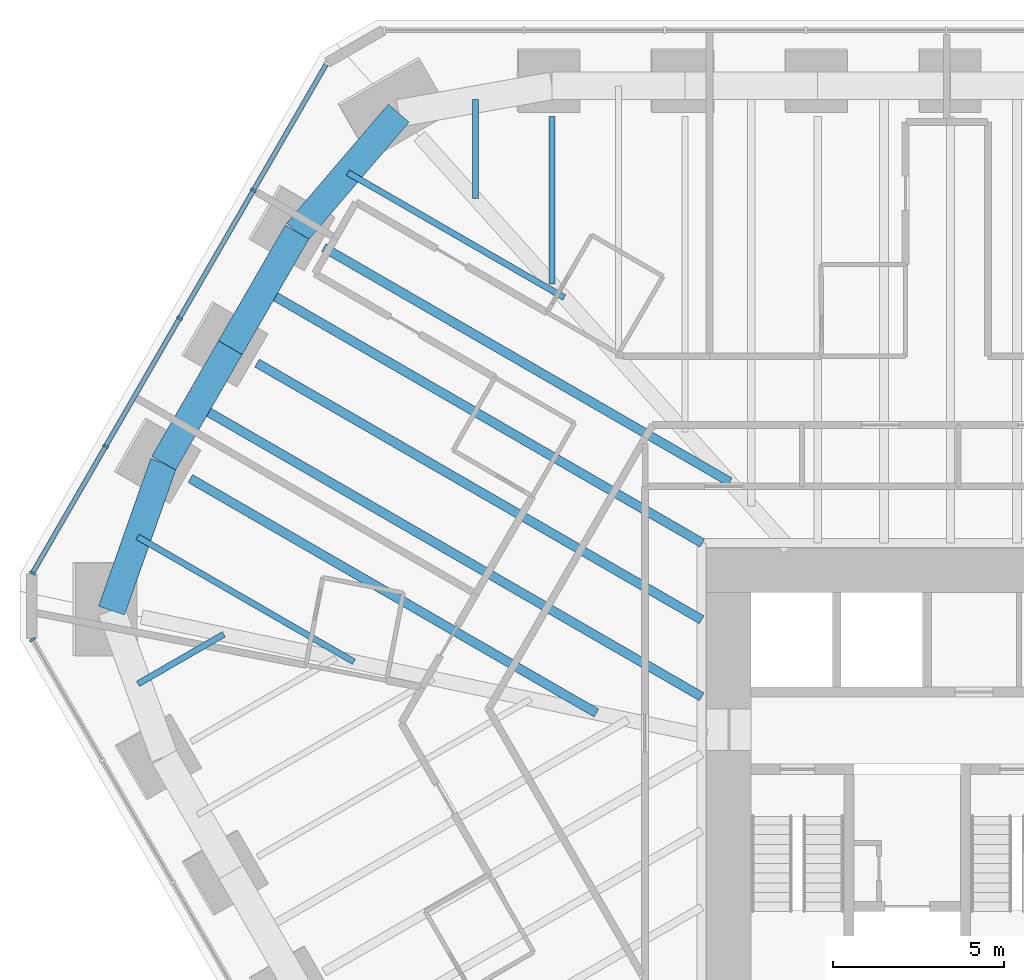
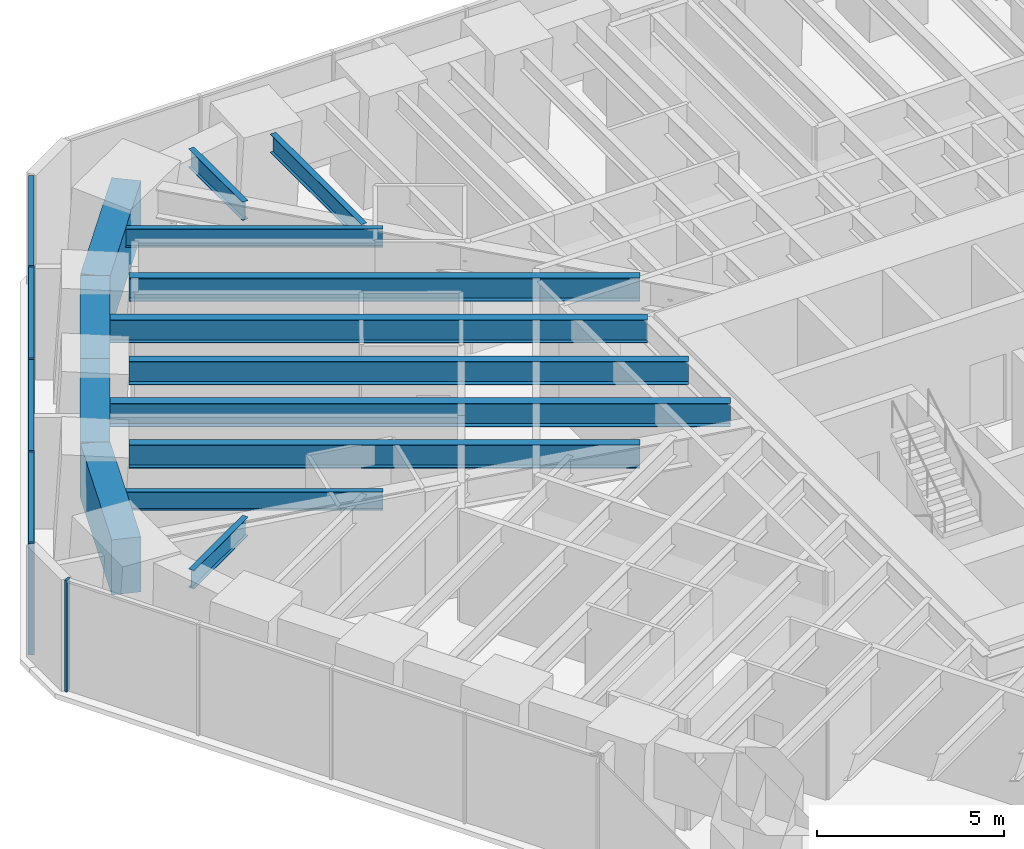
# One storey, part 7 of 18: 14 beams, 9 members, 2 elements without a shape of their own.
"""IFC4 building model written with IfcOpenShell, lengths in metres."""

from ifc_helpers import new_model, si_unit, direction, frame, origin, origin_2d, place, context, subcontext, project, spatial, rectangle, i_section, extrude, material, material_profile, profile_set, type_object, element, aggregate, save


model = new_model("IFC4")

# Units and contexts
model_context = context("Model", 3, precision=1e-05, world=origin(), true_north=direction((0.0, 1.0)))
body_context = subcontext(model_context, "Body", "Model", "MODEL_VIEW")
ifc_project = project(units=[si_unit("LENGTHUNIT", "METRE"), si_unit("AREAUNIT", "SQUARE_METRE"), si_unit("VOLUMEUNIT", "CUBIC_METRE"), si_unit("PLANEANGLEUNIT", "RADIAN"), si_unit("MASSUNIT", "GRAM", prefix="KILO")], contexts=[model_context])

# Site, building, storey
site_placement = place(None, origin())
site = spatial("IfcSite", under=ifc_project, at=site_placement, CompositionType="ELEMENT")
building_placement = place(site_placement, origin())
building = spatial("IfcBuilding", under=site, at=building_placement, Name="Sandreach Pilgrim Tower", CompositionType="ELEMENT")
storey_placement = place(building_placement, frame((0.0, 0.0, 153.800048828125)))
storey = spatial("IfcBuildingStorey", under=building, at=storey_placement, Name="L38", CompositionType="ELEMENT", Elevation=153.800048828125)

# Curtain wall, member
ifc_material_1 = material(Name="Aluminium framed curtain wall", Category="aluminium")
curtain_wall_type = type_object("IfcCurtainWallType", Name="Hotel tower curtain wall", PredefinedType="NOTDEFINED", material=ifc_material_1)
curtain_wall_1_placement = place(storey_placement, origin())
curtain_wall_1 = element("IfcCurtainWall", 1, at=curtain_wall_1_placement, inside=storey, type_object=curtain_wall_type, Name="CW-2 L38 SW", PredefinedType="NOTDEFINED")
ifc_material_2 = material(Name="Aluminium extrusion", Category="aluminium")
ifc_material_profile_1 = material_profile(ifc_material_2, rectangle(XDim=0.06494140625, YDim=0.179931640625, at=origin_2d()), Name="CW-2M 65X180")
ifc_profile_set_1 = profile_set([ifc_material_profile_1], Name="Aluminium extrusion")
member_type_1 = type_object("IfcMemberType", Name="CW-2 mullion", PredefinedType="MULLION", material=ifc_profile_set_1)
member_1_placement = place(storey_placement, frame((-28.70458984375, 4.730224609375, 0.0), z_axis=(0.0, 0.0, 1.0), x_axis=(-0.5, 0.866025403784, 0.0)))
member_1 = element("IfcMember", 2, at=member_1_placement, type_object=member_type_1, Name="CW-2 mullion 10", PredefinedType="MULLION", context=body_context, shape_type="SweptSolid", body=[
    extrude(rectangle(XDim=0.06494140625, YDim=0.179931640625, at=origin_2d()), origin(), (0.0, 0.0, 1.0), 3.639892578125),
])
aggregate(curtain_wall_1, [member_1])

# Curtain wall, members
curtain_wall_2_placement = place(storey_placement, origin())
curtain_wall_2 = element("IfcCurtainWall", 3, at=curtain_wall_2_placement, inside=storey, type_object=curtain_wall_type, Name="CW-2 L38 NW", PredefinedType="NOTDEFINED")
member_2_placement = place(storey_placement, frame((-28.70458984375, 6.66650390625, 0.0), z_axis=(0.0, 0.0, 1.0), x_axis=(0.5, 0.866025403784, 0.0)))
member_2 = element("IfcMember", 4, at=member_2_placement, type_object=member_type_1, Name="CW-2 mullion 1", PredefinedType="MULLION", context=body_context, shape_type="SweptSolid", body=[
    extrude(rectangle(XDim=0.06494140625, YDim=0.179931640625, at=origin_2d()), origin(), (0.0, 0.0, 1.0), 3.639892578125),
])
member_3_placement = place(storey_placement, frame((-26.568115234375, 10.3671875, 0.0), z_axis=(0.0, 0.0, 1.0), x_axis=(0.5, 0.866025403784, 0.0)))
member_3 = element("IfcMember", 5, at=member_3_placement, type_object=member_type_1, Name="CW-2 mullion 2", PredefinedType="MULLION", context=body_context, shape_type="SweptSolid", body=[
    extrude(rectangle(XDim=0.06494140625, YDim=0.179931640625, at=origin_2d()), origin(), (0.0, 0.0, 1.0), 3.639892578125),
])
member_4_placement = place(storey_placement, frame((-24.415283203125, 14.09619140625, 0.0), z_axis=(0.0, 0.0, 1.0), x_axis=(0.5, 0.866025403784, 0.0)))
member_4 = element("IfcMember", 6, at=member_4_placement, type_object=member_type_1, Name="CW-2 mullion 3", PredefinedType="MULLION", context=body_context, shape_type="SweptSolid", body=[
    extrude(rectangle(XDim=0.06494140625, YDim=0.179931640625, at=origin_2d()), origin(), (0.0, 0.0, 1.0), 3.639892578125),
])
member_5_placement = place(storey_placement, frame((-22.262451171875, 17.824951171875, 0.0), z_axis=(0.0, 0.0, 1.0), x_axis=(0.5, 0.866025403784, 0.0)))
member_5 = element("IfcMember", 7, at=member_5_placement, type_object=member_type_1, Name="CW-2 mullion 4", PredefinedType="MULLION", context=body_context, shape_type="SweptSolid", body=[
    extrude(rectangle(XDim=0.06494140625, YDim=0.179931640625, at=origin_2d()), origin(), (0.0, 0.0, 1.0), 3.639892578125),
])
ifc_material_3 = material(Name="Aluminium extrusion", Category="aluminium")
ifc_material_profile_2 = material_profile(ifc_material_3, rectangle(XDim=0.139892578125, YDim=0.070068359375, at=origin_2d()), Name="CW-2T 140X70")
ifc_profile_set_2 = profile_set([ifc_material_profile_2], Name="Aluminium extrusion")
member_type_2 = type_object("IfcMemberType", Name="CW-2 transom", PredefinedType="USERDEFINED", material=ifc_profile_set_2)
member_6_placement = place(storey_placement, frame((-28.6884765625, 6.69482421875, 3.60498046875), z_axis=(0.500038835258, 0.866002981077, 0.0), x_axis=(-0.866002981077, 0.500038835258, 0.0)))
member_6 = element("IfcMember", 8, at=member_6_placement, type_object=member_type_2, Name="CW-2 head transom 1", ObjectType="TRANSOM", PredefinedType="USERDEFINED", context=body_context, shape_type="SweptSolid", body=[
    extrude(rectangle(XDim=0.139892578125, YDim=0.070068359375, at=origin_2d()), origin(), (0.0, 0.0, 1.0), 4.208251953125),
])
member_7_placement = place(storey_placement, frame((-26.5517578125, 10.3955078125, 3.60498046875), z_axis=(0.500021471012, 0.866013007135, 0.0), x_axis=(-0.866013007135, 0.500021471012, 0.0)))
member_7 = element("IfcMember", 9, at=member_7_placement, type_object=member_type_2, Name="CW-2 head transom 2", ObjectType="TRANSOM", PredefinedType="USERDEFINED", context=body_context, shape_type="SweptSolid", body=[
    extrude(rectangle(XDim=0.139892578125, YDim=0.070068359375, at=origin_2d()), origin(), (0.0, 0.0, 1.0), 4.240478515625),
])
member_8_placement = place(storey_placement, frame((-24.39892578125, 14.124267578125, 3.60498046875), z_axis=(0.499996541496, 0.866027400544, 0.0), x_axis=(-0.866027400544, 0.499996541496, 0.0)))
member_8 = element("IfcMember", 10, at=member_8_placement, type_object=member_type_2, Name="CW-2 head transom 3", ObjectType="TRANSOM", PredefinedType="USERDEFINED", context=body_context, shape_type="SweptSolid", body=[
    extrude(rectangle(XDim=0.139892578125, YDim=0.070068359375, at=origin_2d()), origin(), (0.0, 0.0, 1.0), 4.24072265625),
])
member_9_placement = place(storey_placement, frame((-22.24609375, 17.85302734375, 3.60498046875), z_axis=(0.49997020258, 0.86604260665, 0.0), x_axis=(-0.86604260665, 0.49997020258, 0.0)))
member_9 = element("IfcMember", 11, at=member_9_placement, type_object=member_type_2, Name="CW-2 head transom 4", ObjectType="TRANSOM", PredefinedType="USERDEFINED", context=body_context, shape_type="SweptSolid", body=[
    extrude(rectangle(XDim=0.139892578125, YDim=0.070068359375, at=origin_2d()), origin(), (0.0, 0.0, 1.0), 4.208251953125),
])
aggregate(curtain_wall_2, [member_2, member_3, member_4, member_5, member_6, member_7, member_8, member_9])

# Beams
ifc_material_4 = material(Name="Steel ASTM A992 Grade 50", Category="steel")
ifc_material_profile_3 = material_profile(ifc_material_4, i_section(OverallWidth=0.1787109375, OverallDepth=0.60205078125, WebThickness=0.010986328125, FlangeThickness=0.014892578125, at=origin_2d()), Name="W24X62")
ifc_profile_set_3 = profile_set([ifc_material_profile_3], Name="Steel ASTM A992 Grade 50")
beam_type_1 = type_object("IfcBeamType", Name="Floor beam W24X62", PredefinedType="BEAM", material=ifc_profile_set_3)
beam_1_placement = place(storey_placement, frame((-13.556396484375, 19.974365234375, 3.3388671875), z_axis=(0.0, -1.0, 0.0), x_axis=(1.0, 0.0, 0.0)))
element("IfcBeam", 12, at=beam_1_placement, inside=storey, type_object=beam_type_1, Name="BM L38 F01", PredefinedType="BEAM", context=body_context, shape_type="SweptSolid", body=[
    extrude(i_section(OverallWidth=0.1787109375, OverallDepth=0.60205078125, WebThickness=0.010986328125, FlangeThickness=0.014892578125, at=origin_2d()), origin(), (0.0, 0.0, 1.0), 4.877197265625),
])
beam_2_placement = place(storey_placement, frame((-25.62744140625, 3.438232421875, 3.3388671875), z_axis=(0.866008233186, 0.500029739169, 0.0), x_axis=(-0.500029739169, 0.866008233186, 0.0)))
element("IfcBeam", 13, at=beam_2_placement, inside=storey, type_object=beam_type_1, Name="BM L38 FM34", PredefinedType="BEAM", context=body_context, shape_type="SweptSolid", body=[
    extrude(i_section(OverallWidth=0.1787109375, OverallDepth=0.60205078125, WebThickness=0.010986328125, FlangeThickness=0.014892578125, at=origin_2d()), origin(), (0.0, 0.0, 1.0), 2.888427734375),
])
beam_3_placement = place(storey_placement, frame((-25.63916015625, 7.723388671875, 3.3388671875), z_axis=(0.866019253741, -0.500010652036, 0.0), x_axis=(0.500010652036, 0.866019253741, 0.0)))
element("IfcBeam", 14, at=beam_3_placement, inside=storey, type_object=beam_type_1, Name="BM L38 FM35", PredefinedType="BEAM", context=body_context, shape_type="SweptSolid", body=[
    extrude(i_section(OverallWidth=0.1787109375, OverallDepth=0.60205078125, WebThickness=0.010986328125, FlangeThickness=0.014892578125, at=origin_2d()), origin(), (0.0, 0.0, 1.0), 7.283935546875),
])
beam_4_placement = place(storey_placement, frame((-19.50830078125, 18.342529296875, 3.3388671875), z_axis=(0.866027633051, -0.499996138777, 0.0), x_axis=(0.499996138777, 0.866027633051, 0.0)))
element("IfcBeam", 15, at=beam_4_placement, inside=storey, type_object=beam_type_1, Name="BM L38 FM38", PredefinedType="BEAM", context=body_context, shape_type="SweptSolid", body=[
    extrude(i_section(OverallWidth=0.1787109375, OverallDepth=0.60205078125, WebThickness=0.010986328125, FlangeThickness=0.014892578125, at=origin_2d()), origin(), (0.0, 0.0, 1.0), 7.2841796875),
])
beam_5_placement = place(storey_placement, frame((-15.79150390625, 20.474853515625, 3.3388671875), z_axis=(0.0, -1.0, 0.0), x_axis=(1.0, 0.0, 0.0)))
element("IfcBeam", 16, at=beam_5_placement, inside=storey, type_object=beam_type_1, Name="BM L38 FM39", PredefinedType="BEAM", context=body_context, shape_type="SweptSolid", body=[
    extrude(i_section(OverallWidth=0.1787109375, OverallDepth=0.60205078125, WebThickness=0.010986328125, FlangeThickness=0.014892578125, at=origin_2d()), origin(), (0.0, 0.0, 1.0), 2.888671875),
])
ifc_material_5 = material(Name="Steel ASTM A992 Grade 50", Category="steel")
ifc_material_profile_4 = material_profile(ifc_material_5, i_section(OverallWidth=0.2666015625, OverallDepth=0.761962890625, WebThickness=0.014404296875, FlangeThickness=0.021484375, at=origin_2d()), Name="W30X116")
ifc_profile_set_4 = profile_set([ifc_material_profile_4], Name="Steel ASTM A992 Grade 50")
beam_type_2 = type_object("IfcBeamType", Name="Floor beam W30X116", PredefinedType="BEAM", material=ifc_profile_set_4)
beam_6_placement = place(storey_placement, frame((-24.10009765625, 9.42333984375, 3.259033203125), z_axis=(0.866024071941, -0.500002306813, 0.0), x_axis=(0.500002306813, 0.866024071941, 0.0)))
element("IfcBeam", 17, at=beam_6_placement, inside=storey, type_object=beam_type_2, Name="BM L38 F36", PredefinedType="BEAM", context=body_context, shape_type="SweptSolid", body=[
    extrude(i_section(OverallWidth=0.2666015625, OverallDepth=0.761962890625, WebThickness=0.014404296875, FlangeThickness=0.021484375, at=origin_2d()), origin(), (0.0, 0.0, 1.0), 13.66845703125),
])
beam_7_placement = place(storey_placement, frame((-22.155517578125, 12.79150390625, 3.259033203125), z_axis=(0.866027224941, -0.499996845651, 0.0), x_axis=(0.499996845651, 0.866027224941, 0.0)))
element("IfcBeam", 18, at=beam_7_placement, inside=storey, type_object=beam_type_2, Name="BM L38 F37", PredefinedType="BEAM", context=body_context, shape_type="SweptSolid", body=[
    extrude(i_section(OverallWidth=0.2666015625, OverallDepth=0.761962890625, WebThickness=0.014404296875, FlangeThickness=0.021484375, at=origin_2d()), origin(), (0.0, 0.0, 1.0), 14.96728515625),
])
beam_8_placement = place(storey_placement, frame((-20.2109375, 16.15966796875, 3.259033203125), z_axis=(0.866024071941, -0.500002306813, 0.0), x_axis=(0.500002306813, 0.866024071941, 0.0)))
element("IfcBeam", 19, at=beam_8_placement, inside=storey, type_object=beam_type_2, Name="BM L38 F38", PredefinedType="BEAM", context=body_context, shape_type="SweptSolid", body=[
    extrude(i_section(OverallWidth=0.2666015625, OverallDepth=0.761962890625, WebThickness=0.014404296875, FlangeThickness=0.021484375, at=origin_2d()), origin(), (0.0, 0.0, 1.0), 13.66845703125),
])
beam_9_placement = place(storey_placement, frame((-21.962646484375, 14.925537109375, 3.259033203125), z_axis=(0.866029453917, -0.499992984899, 0.0), x_axis=(0.499992984899, 0.866029453917, 0.0)))
element("IfcBeam", 20, at=beam_9_placement, inside=storey, type_object=beam_type_2, Name="BM L38 FM37", PredefinedType="BEAM", context=body_context, shape_type="SweptSolid", body=[
    extrude(i_section(OverallWidth=0.2666015625, OverallDepth=0.761962890625, WebThickness=0.014404296875, FlangeThickness=0.021484375, at=origin_2d()), origin(), (0.0, 0.0, 1.0), 14.764404296875),
])
ifc_material_6 = material(Name="Steel ASTM A992 Grade 50", Category="steel")
ifc_material_profile_5 = material_profile(ifc_material_6, i_section(OverallWidth=0.2666015625, OverallDepth=0.77978515625, WebThickness=0.0166015625, FlangeThickness=0.030029296875, at=origin_2d()), Name="W30X148")
ifc_profile_set_5 = profile_set([ifc_material_profile_5], Name="Steel ASTM A992 Grade 50")
beam_type_3 = type_object("IfcBeamType", Name="Floor beam W30X148", PredefinedType="BEAM", material=ifc_profile_set_5)
beam_10_placement = place(storey_placement, frame((-23.9072265625, 11.557373046875, 3.25), z_axis=(0.866023823489, -0.500002737143, 0.0), x_axis=(0.500002737143, 0.866023823489, 0.0)))
element("IfcBeam", 21, at=beam_10_placement, inside=storey, type_object=beam_type_3, Name="BM L38 FM36", PredefinedType="BEAM", context=body_context, shape_type="SweptSolid", body=[
    extrude(i_section(OverallWidth=0.2666015625, OverallDepth=0.77978515625, WebThickness=0.0166015625, FlangeThickness=0.030029296875, at=origin_2d()), origin(), (0.0, 0.0, 1.0), 16.990234375),
])
ifc_material_7 = material(Name="Concrete 10000 psi", Category="concrete")
ifc_material_profile_6 = material_profile(ifc_material_7, rectangle(XDim=0.800048828125, YDim=1.800048828125, at=origin_2d()), Name="RC800X1800")
ifc_profile_set_6 = profile_set([ifc_material_profile_6], Name="Concrete 10000 psi")
beam_type_4 = type_object("IfcBeamType", Name="Spandrel beam RC800X1800", PredefinedType="SPANDREL", material=ifc_profile_set_6)
beam_11_placement = place(storey_placement, frame((-26.39892578125, 5.57373046875, 2.739990234375), z_axis=(0.333170154298, 0.942866718198, 0.0), x_axis=(-0.942866718198, 0.333170154298, 0.0)))
element("IfcBeam", 22, at=beam_11_placement, inside=storey, type_object=beam_type_4, Name="BM L38 SP35", PredefinedType="SPANDREL", context=body_context, shape_type="SweptSolid", body=[
    extrude(rectangle(XDim=0.800048828125, YDim=1.800048828125, at=origin_2d()), origin(), (0.0, 0.0, 1.0), 4.56005859375),
])
beam_12_placement = place(storey_placement, frame((-24.879638671875, 9.873291015625, 2.739990234375), z_axis=(0.500041225824, 0.866001600736, 0.0), x_axis=(-0.866001600736, 0.500041225824, 0.0)))
element("IfcBeam", 23, at=beam_12_placement, inside=storey, type_object=beam_type_4, Name="BM L38 SP36", PredefinedType="SPANDREL", context=body_context, shape_type="SweptSolid", body=[
    extrude(rectangle(XDim=0.800048828125, YDim=1.800048828125, at=origin_2d()), origin(), (0.0, 0.0, 1.0), 3.889404296875),
])
beam_13_placement = place(storey_placement, frame((-22.934814453125, 13.241455078125, 2.739990234375), z_axis=(0.499994147244, 0.866028782848, 0.0), x_axis=(-0.866028782848, 0.499994147244, 0.0)))
element("IfcBeam", 24, at=beam_13_placement, inside=storey, type_object=beam_type_4, Name="BM L38 SP37", PredefinedType="SPANDREL", context=body_context, shape_type="SweptSolid", body=[
    extrude(rectangle(XDim=0.800048828125, YDim=1.800048828125, at=origin_2d()), origin(), (0.0, 0.0, 1.0), 3.88916015625),
])
beam_14_placement = place(storey_placement, frame((-20.990234375, 16.609619140625, 2.739990234375), z_axis=(0.649953262597, 0.75997418143, 0.0), x_axis=(-0.75997418143, 0.649953262597, 0.0)))
element("IfcBeam", 25, at=beam_14_placement, inside=storey, type_object=beam_type_4, Name="BM L38 SP38", PredefinedType="SPANDREL", context=body_context, shape_type="SweptSolid", body=[
    extrude(rectangle(XDim=0.800048828125, YDim=1.800048828125, at=origin_2d()), origin(), (0.0, 0.0, 1.0), 4.56005859375),
])

save(model, "model.ifc")
